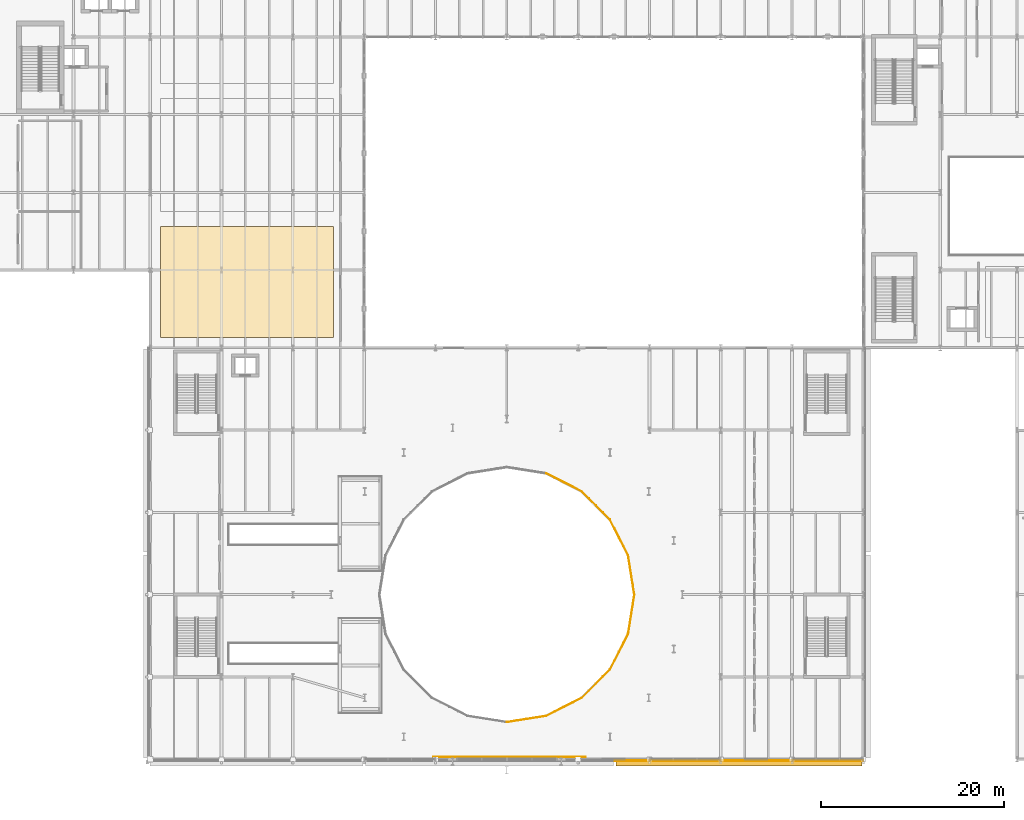
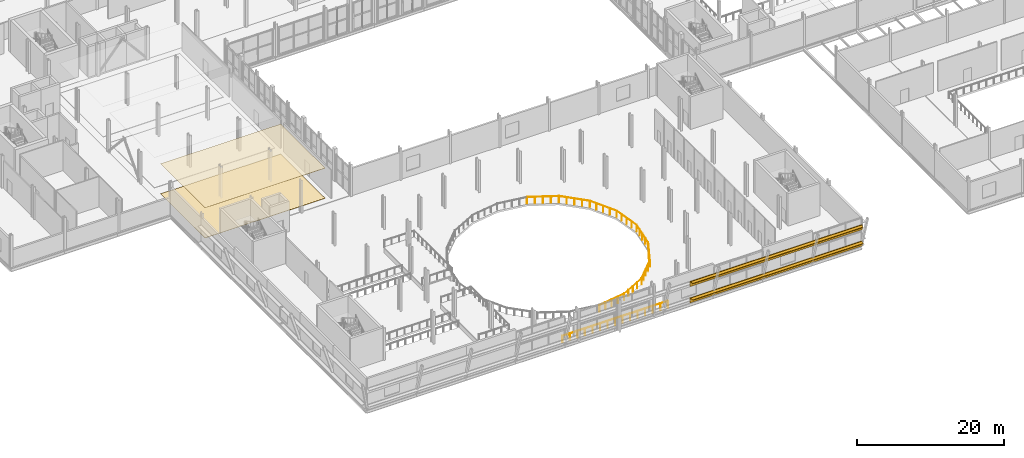
# One storey, part 65 of 78: 10 railings, 4 coverings, 2 shading devices.
"""IFC4 building model written with IfcOpenShell, lengths in metres."""

from ifc_helpers import new_model, si_unit, direction, frame, origin, origin_2d, place, context, subcontext, project, spatial, polyline, rectangle, circle, outline, extrude, material, layer, layer_set, type_object, element, save


model = new_model("IFC4")

# Units and contexts
model_context = context("Model", 3, precision=1e-05, world=origin(), true_north=direction((0.0, 1.0)))
body_context = subcontext(model_context, "Body", "Model", "MODEL_VIEW")
ifc_project = project(units=[si_unit("LENGTHUNIT", "METRE"), si_unit("AREAUNIT", "SQUARE_METRE"), si_unit("VOLUMEUNIT", "CUBIC_METRE"), si_unit("PLANEANGLEUNIT", "RADIAN"), si_unit("MASSUNIT", "GRAM", prefix="KILO")], contexts=[model_context])

# Site, building, storey
site_placement = place(None, origin())
site = spatial("IfcSite", under=ifc_project, at=site_placement, CompositionType="ELEMENT")
building_placement = place(site_placement, origin())
building = spatial("IfcBuilding", under=site, at=building_placement, Name="Sefraquen Railside Congress Hotel", CompositionType="ELEMENT")
storey_placement = place(building_placement, frame((0.0, 0.0, 6.0)))
storey = spatial("IfcBuildingStorey", under=building, at=storey_placement, Name="L01", CompositionType="ELEMENT", Elevation=6.0)

# Coverings
ifc_material_1 = material(Name="Acoustic mineral and carved plaster ceiling", Category="gypsum")
ifc_layer_1 = layer(ifc_material_1, 0.0400390625)
ifc_layer_set_1 = layer_set([ifc_layer_1], Name="Acoustic mineral and carved plaster ceiling")
covering_type_1 = type_object("IfcCoveringType", Name="TCV-CEIL-01", PredefinedType="CEILING", material=ifc_layer_set_1)
covering_1_placement = place(storey_placement, frame((0.0, 0.0, 5.010009765625)))
element("IfcCovering", 1, at=covering_1_placement, inside=storey, type_object=covering_type_1, Name="Conference Suite 01 acoustic ceiling finish", PredefinedType="CEILING", context=body_context, shape_type="SweptSolid", body=[
    extrude(outline(polyline([(26.330078125, 55.1298828125), (45.27001953125, 55.1298828125), (45.27001953125, 67.27001953125), (26.330078125, 67.27001953125), (26.330078125, 55.1298828125)])), origin(), (0.0, 0.0, 1.0), 0.0400390625),
])
ifc_material_2 = material(Name="Patinated architectural bronze", Category="metal")
ifc_layer_2 = layer(ifc_material_2, 0.080078125)
ifc_layer_set_2 = layer_set([ifc_layer_2], Name="Patinated architectural bronze")
covering_type_2 = type_object("IfcCoveringType", Name="TCV-CLAD-01", PredefinedType="CLADDING", material=ifc_layer_set_2)
for number, where, z_axis, x_axis, name in (
    (2, (89.60009765625, 8.830078125, -0.10498046875), (0.0, 0.0, 1.0), (1.0, 0.0, 0.0), "Congress horizontal bronze cladding band L01-S3"),
    (3, (89.60009765625, 8.830078125, 2.625), (0.0, 0.0, 1.0), (1.0, 0.0, 0.0), "Congress horizontal bronze cladding band L01-S3-B"),
):
    element("IfcCovering", number, at=place(storey_placement, frame(where, z_axis=z_axis, x_axis=x_axis)), inside=storey, type_object=covering_type_2, Name=name, PredefinedType="CLADDING", context=body_context, shape_type="SweptSolid", body=[
        extrude(rectangle(XDim=27.199951171875, YDim=0.080078125, at=origin_2d()), origin(), (0.0, 0.0, 1.0), 0.85009765625),
    ])
ifc_material_3 = material(Name="Moroccan zellige ceramic and honed stone flooring", Category="masonry")
ifc_layer_3 = layer(ifc_material_3, 0.0400390625)
ifc_layer_set_3 = layer_set([ifc_layer_3], Name="Moroccan zellige ceramic and honed stone flooring")
covering_type_3 = type_object("IfcCoveringType", Name="TCV-FLR-01", PredefinedType="FLOORING", material=ifc_layer_set_3)
covering_2_placement = place(storey_placement, origin())
element("IfcCovering", 4, at=covering_2_placement, inside=storey, type_object=covering_type_3, Name="Conference Suite 01 architectural floor finish", PredefinedType="FLOORING", context=body_context, shape_type="SweptSolid", body=[
    extrude(outline(polyline([(26.330078125, 55.1298828125), (45.27001953125, 55.1298828125), (45.27001953125, 67.27001953125), (26.330078125, 67.27001953125), (26.330078125, 55.1298828125)])), origin(), (0.0, 0.0, 1.0), 0.0400390625),
])

# Railings
ifc_material_4 = material(Name="Patinated wrought architectural bronze", Category="metal")
railing_type = type_object("IfcRailingType", Name="TRL-BAL-110", PredefinedType="BALUSTRADE", material=ifc_material_4)
railing_1_placement = place(storey_placement, frame((56.199951171875, 9.25, 0.0)))
element("IfcRailing", 5, at=railing_1_placement, inside=storey, type_object=railing_type, Name="Congress Hall L01 south drum-bay interior guard", PredefinedType="BALUSTRADE", context=body_context, shape_type="SweptSolid", body=[
    extrude(circle(Radius=0.02392578125, at=origin_2d()), frame((0.0, 0.0, 1.09619140625), z_axis=(1.0, 0.0, 0.0), x_axis=(0.0, 1.0, 0.0)), (0.0, 0.0, 1.0), 16.60009765625),
    extrude(circle(Radius=0.02099609375, at=origin_2d()), origin(), (0.0, 0.0, 1.0), 1.072021484375),
    extrude(circle(Radius=0.02099609375, at=origin_2d()), frame((1.185791015625, 0.0, 0.0)), (0.0, 0.0, 1.0), 1.072021484375),
    extrude(circle(Radius=0.02099609375, at=origin_2d()), frame((2.371337890625, 0.0, 0.0)), (0.0, 0.0, 1.0), 1.072021484375),
    extrude(circle(Radius=0.02099609375, at=origin_2d()), frame((3.55712890625, 0.0, 0.0)), (0.0, 0.0, 1.0), 1.072021484375),
    extrude(circle(Radius=0.02099609375, at=origin_2d()), frame((4.742919921875, 0.0, 0.0)), (0.0, 0.0, 1.0), 1.072021484375),
    extrude(circle(Radius=0.02099609375, at=origin_2d()), frame((5.9287109375, 0.0, 0.0)), (0.0, 0.0, 1.0), 1.072021484375),
    extrude(circle(Radius=0.02099609375, at=origin_2d()), frame((7.1142578125, 0.0, 0.0)), (0.0, 0.0, 1.0), 1.072021484375),
    extrude(circle(Radius=0.02099609375, at=origin_2d()), frame((8.300048828125, 0.0, 0.0)), (0.0, 0.0, 1.0), 1.072021484375),
    extrude(circle(Radius=0.02099609375, at=origin_2d()), frame((9.48583984375, 0.0, 0.0)), (0.0, 0.0, 1.0), 1.072021484375),
    extrude(circle(Radius=0.02099609375, at=origin_2d()), frame((10.67138671875, 0.0, 0.0)), (0.0, 0.0, 1.0), 1.072021484375),
    extrude(circle(Radius=0.02099609375, at=origin_2d()), frame((11.857177734375, 0.0, 0.0)), (0.0, 0.0, 1.0), 1.072021484375),
    extrude(circle(Radius=0.02099609375, at=origin_2d()), frame((13.04296875, 0.0, 0.0)), (0.0, 0.0, 1.0), 1.072021484375),
    extrude(circle(Radius=0.02099609375, at=origin_2d()), frame((14.228759765625, 0.0, 0.0)), (0.0, 0.0, 1.0), 1.072021484375),
    extrude(circle(Radius=0.02099609375, at=origin_2d()), frame((15.414306640625, 0.0, 0.0)), (0.0, 0.0, 1.0), 1.072021484375),
    extrude(circle(Radius=0.02099609375, at=origin_2d()), frame((16.60009765625, 0.0, 0.0)), (0.0, 0.0, 1.0), 1.072021484375),
])
railing_2_placement = place(storey_placement, frame((78.14990234375, 27.0, 0.0)))
element("IfcRailing", 6, at=railing_2_placement, inside=storey, type_object=railing_type, Name="Congress Hall L01 balcony bowl balustrade", PredefinedType="BALUSTRADE", context=body_context, shape_type="SweptSolid", body=[
    extrude(circle(Radius=0.02392578125, at=origin_2d()), frame((0.0, 0.0, 1.09619140625), z_axis=(-0.156402047608, 0.987693474467, 0.0), x_axis=(-0.987693474467, -0.156402047608, 0.0)), (0.0, 0.0, 1.0), 4.364501953125),
    extrude(circle(Radius=0.02099609375, at=origin_2d()), origin(), (0.0, 0.0, 1.0), 1.072021484375),
    extrude(circle(Radius=0.02099609375, at=origin_2d()), frame((-0.170654296875, 1.07763671875, 0.0)), (0.0, 0.0, 1.0), 1.072021484375),
    extrude(circle(Radius=0.02099609375, at=origin_2d()), frame((-0.34130859375, 2.1552734375, 0.0)), (0.0, 0.0, 1.0), 1.072021484375),
    extrude(circle(Radius=0.02099609375, at=origin_2d()), frame((-0.511962890625, 3.233154296875, 0.0)), (0.0, 0.0, 1.0), 1.072021484375),
    extrude(circle(Radius=0.02099609375, at=origin_2d()), frame((-0.6826171875, 4.310791015625, 0.0)), (0.0, 0.0, 1.0), 1.072021484375),
])
railing_3_placement = place(storey_placement, frame((77.46728515625, 31.310791015625, 0.0)))
element("IfcRailing", 7, at=railing_3_placement, inside=storey, type_object=railing_type, Name="Congress Hall L01 balcony bowl balustrade", PredefinedType="BALUSTRADE", context=body_context, shape_type="SweptSolid", body=[
    extrude(circle(Radius=0.02392578125, at=origin_2d()), frame((0.0, 0.0, 1.09619140625), z_axis=(-0.453980246675, 0.891011748311, 0.0), x_axis=(-0.891011748311, -0.453980246675, 0.0)), (0.0, 0.0, 1.0), 4.364501953125),
    extrude(circle(Radius=0.02099609375, at=origin_2d()), origin(), (0.0, 0.0, 1.0), 1.072021484375),
    extrude(circle(Radius=0.02099609375, at=origin_2d()), frame((-0.495361328125, 0.97216796875, 0.0)), (0.0, 0.0, 1.0), 1.072021484375),
    extrude(circle(Radius=0.02099609375, at=origin_2d()), frame((-0.99072265625, 1.9443359375, 0.0)), (0.0, 0.0, 1.0), 1.072021484375),
    extrude(circle(Radius=0.02099609375, at=origin_2d()), frame((-1.486083984375, 2.916748046875, 0.0)), (0.0, 0.0, 1.0), 1.072021484375),
    extrude(circle(Radius=0.02099609375, at=origin_2d()), frame((-1.9814453125, 3.888916015625, 0.0)), (0.0, 0.0, 1.0), 1.072021484375),
])
railing_4_placement = place(storey_placement, frame((75.48583984375, 35.19970703125, 0.0)))
element("IfcRailing", 8, at=railing_4_placement, inside=storey, type_object=railing_type, Name="Congress Hall L01 balcony bowl balustrade", PredefinedType="BALUSTRADE", context=body_context, shape_type="SweptSolid", body=[
    extrude(circle(Radius=0.02392578125, at=origin_2d()), frame((0.0, 0.0, 1.09619140625), z_axis=(-0.707106781187, 0.707106781187, 0.0), x_axis=(-0.707106781187, -0.707106781187, 0.0)), (0.0, 0.0, 1.0), 4.364501953125),
    extrude(circle(Radius=0.02099609375, at=origin_2d()), origin(), (0.0, 0.0, 1.0), 1.072021484375),
    extrude(circle(Radius=0.02099609375, at=origin_2d()), frame((-0.771484375, 0.771484375, 0.0)), (0.0, 0.0, 1.0), 1.072021484375),
    extrude(circle(Radius=0.02099609375, at=origin_2d()), frame((-1.54296875, 1.54296875, 0.0)), (0.0, 0.0, 1.0), 1.072021484375),
    extrude(circle(Radius=0.02099609375, at=origin_2d()), frame((-2.314697265625, 2.314697265625, 0.0)), (0.0, 0.0, 1.0), 1.072021484375),
    extrude(circle(Radius=0.02099609375, at=origin_2d()), frame((-3.086181640625, 3.086181640625, 0.0)), (0.0, 0.0, 1.0), 1.072021484375),
])
railing_5_placement = place(storey_placement, frame((72.399658203125, 38.285888671875, 0.0)))
element("IfcRailing", 9, at=railing_5_placement, inside=storey, type_object=railing_type, Name="Congress Hall L01 balcony bowl balustrade", PredefinedType="BALUSTRADE", context=body_context, shape_type="SweptSolid", body=[
    extrude(circle(Radius=0.02392578125, at=origin_2d()), frame((0.0, 0.0, 1.09619140625), z_axis=(-0.891034374171, 0.453935836926, 0.0), x_axis=(-0.453935836926, -0.891034374171, 0.0)), (0.0, 0.0, 1.0), 4.364501953125),
    extrude(circle(Radius=0.02099609375, at=origin_2d()), origin(), (0.0, 0.0, 1.0), 1.072021484375),
    extrude(circle(Radius=0.02099609375, at=origin_2d()), frame((-0.97216796875, 0.495361328125, 0.0)), (0.0, 0.0, 1.0), 1.072021484375),
    extrude(circle(Radius=0.02099609375, at=origin_2d()), frame((-1.9443359375, 0.99072265625, 0.0)), (0.0, 0.0, 1.0), 1.072021484375),
    extrude(circle(Radius=0.02099609375, at=origin_2d()), frame((-2.916748046875, 1.48583984375, 0.0)), (0.0, 0.0, 1.0), 1.072021484375),
    extrude(circle(Radius=0.02099609375, at=origin_2d()), frame((-3.888916015625, 1.981201171875, 0.0)), (0.0, 0.0, 1.0), 1.072021484375),
])
railing_6_placement = place(storey_placement, frame((64.199951171875, 13.050048828125, 0.0)))
element("IfcRailing", 10, at=railing_6_placement, inside=storey, type_object=railing_type, Name="Congress Hall L01 balcony bowl balustrade", PredefinedType="BALUSTRADE", context=body_context, shape_type="SweptSolid", body=[
    extrude(circle(Radius=0.02392578125, at=origin_2d()), frame((0.0, 0.0, 1.09619140625), z_axis=(0.987684831918, 0.156456616349, 0.0), x_axis=(-0.156456616349, 0.987684831918, 0.0)), (0.0, 0.0, 1.0), 4.364501953125),
    extrude(circle(Radius=0.02099609375, at=origin_2d()), origin(), (0.0, 0.0, 1.0), 1.072021484375),
    extrude(circle(Radius=0.02099609375, at=origin_2d()), frame((1.07763671875, 0.170654296875, 0.0)), (0.0, 0.0, 1.0), 1.072021484375),
    extrude(circle(Radius=0.02099609375, at=origin_2d()), frame((2.1552734375, 0.34130859375, 0.0)), (0.0, 0.0, 1.0), 1.072021484375),
    extrude(circle(Radius=0.02099609375, at=origin_2d()), frame((3.233154296875, 0.51220703125, 0.0)), (0.0, 0.0, 1.0), 1.072021484375),
    extrude(circle(Radius=0.02099609375, at=origin_2d()), frame((4.310791015625, 0.682861328125, 0.0)), (0.0, 0.0, 1.0), 1.072021484375),
])
railing_7_placement = place(storey_placement, frame((68.5107421875, 13.73291015625, 0.0)))
element("IfcRailing", 11, at=railing_7_placement, inside=storey, type_object=railing_type, Name="Congress Hall L01 balcony bowl balustrade", PredefinedType="BALUSTRADE", context=body_context, shape_type="SweptSolid", body=[
    extrude(circle(Radius=0.02392578125, at=origin_2d()), frame((0.0, 0.0, 1.09619140625), z_axis=(0.891034374171, 0.453935836926, 0.0), x_axis=(-0.453935836926, 0.891034374171, 0.0)), (0.0, 0.0, 1.0), 4.364501953125),
    extrude(circle(Radius=0.02099609375, at=origin_2d()), origin(), (0.0, 0.0, 1.0), 1.072021484375),
    extrude(circle(Radius=0.02099609375, at=origin_2d()), frame((0.97216796875, 0.495361328125, 0.0)), (0.0, 0.0, 1.0), 1.072021484375),
    extrude(circle(Radius=0.02099609375, at=origin_2d()), frame((1.9443359375, 0.99072265625, 0.0)), (0.0, 0.0, 1.0), 1.072021484375),
    extrude(circle(Radius=0.02099609375, at=origin_2d()), frame((2.916748046875, 1.48583984375, 0.0)), (0.0, 0.0, 1.0), 1.072021484375),
    extrude(circle(Radius=0.02099609375, at=origin_2d()), frame((3.888916015625, 1.981201171875, 0.0)), (0.0, 0.0, 1.0), 1.072021484375),
])
railing_8_placement = place(storey_placement, frame((72.399658203125, 15.714111328125, 0.0)))
element("IfcRailing", 12, at=railing_8_placement, inside=storey, type_object=railing_type, Name="Congress Hall L01 balcony bowl balustrade", PredefinedType="BALUSTRADE", context=body_context, shape_type="SweptSolid", body=[
    extrude(circle(Radius=0.02392578125, at=origin_2d()), frame((0.0, 0.0, 1.09619140625), z_axis=(0.707106781187, 0.707106781187, 0.0), x_axis=(-0.707106781187, 0.707106781187, 0.0)), (0.0, 0.0, 1.0), 4.364501953125),
    extrude(circle(Radius=0.02099609375, at=origin_2d()), origin(), (0.0, 0.0, 1.0), 1.072021484375),
    extrude(circle(Radius=0.02099609375, at=origin_2d()), frame((0.771484375, 0.771484375, 0.0)), (0.0, 0.0, 1.0), 1.072021484375),
    extrude(circle(Radius=0.02099609375, at=origin_2d()), frame((1.54296875, 1.54296875, 0.0)), (0.0, 0.0, 1.0), 1.072021484375),
    extrude(circle(Radius=0.02099609375, at=origin_2d()), frame((2.314697265625, 2.314697265625, 0.0)), (0.0, 0.0, 1.0), 1.072021484375),
    extrude(circle(Radius=0.02099609375, at=origin_2d()), frame((3.086181640625, 3.086181640625, 0.0)), (0.0, 0.0, 1.0), 1.072021484375),
])
railing_9_placement = place(storey_placement, frame((75.48583984375, 18.80029296875, 0.0)))
element("IfcRailing", 13, at=railing_9_placement, inside=storey, type_object=railing_type, Name="Congress Hall L01 balcony bowl balustrade", PredefinedType="BALUSTRADE", context=body_context, shape_type="SweptSolid", body=[
    extrude(circle(Radius=0.02392578125, at=origin_2d()), frame((0.0, 0.0, 1.09619140625), z_axis=(0.453980246675, 0.891011748311, 0.0), x_axis=(-0.891011748311, 0.453980246675, 0.0)), (0.0, 0.0, 1.0), 4.364501953125),
    extrude(circle(Radius=0.02099609375, at=origin_2d()), origin(), (0.0, 0.0, 1.0), 1.072021484375),
    extrude(circle(Radius=0.02099609375, at=origin_2d()), frame((0.495361328125, 0.97216796875, 0.0)), (0.0, 0.0, 1.0), 1.072021484375),
    extrude(circle(Radius=0.02099609375, at=origin_2d()), frame((0.99072265625, 1.9443359375, 0.0)), (0.0, 0.0, 1.0), 1.072021484375),
    extrude(circle(Radius=0.02099609375, at=origin_2d()), frame((1.486083984375, 2.916748046875, 0.0)), (0.0, 0.0, 1.0), 1.072021484375),
    extrude(circle(Radius=0.02099609375, at=origin_2d()), frame((1.9814453125, 3.888916015625, 0.0)), (0.0, 0.0, 1.0), 1.072021484375),
])
railing_10_placement = place(storey_placement, frame((77.46728515625, 22.689208984375, 0.0)))
element("IfcRailing", 14, at=railing_10_placement, inside=storey, type_object=railing_type, Name="Congress Hall L01 balcony bowl balustrade", PredefinedType="BALUSTRADE", context=body_context, shape_type="SweptSolid", body=[
    extrude(circle(Radius=0.02392578125, at=origin_2d()), frame((0.0, 0.0, 1.09619140625), z_axis=(0.156402047608, 0.987693474467, 0.0), x_axis=(-0.987693474467, 0.156402047608, 0.0)), (0.0, 0.0, 1.0), 4.364501953125),
    extrude(circle(Radius=0.02099609375, at=origin_2d()), origin(), (0.0, 0.0, 1.0), 1.072021484375),
    extrude(circle(Radius=0.02099609375, at=origin_2d()), frame((0.170654296875, 1.07763671875, 0.0)), (0.0, 0.0, 1.0), 1.072021484375),
    extrude(circle(Radius=0.02099609375, at=origin_2d()), frame((0.34130859375, 2.1552734375, 0.0)), (0.0, 0.0, 1.0), 1.072021484375),
    extrude(circle(Radius=0.02099609375, at=origin_2d()), frame((0.511962890625, 3.233154296875, 0.0)), (0.0, 0.0, 1.0), 1.072021484375),
    extrude(circle(Radius=0.02099609375, at=origin_2d()), frame((0.6826171875, 4.310791015625, 0.0)), (0.0, 0.0, 1.0), 1.072021484375),
])

# Shading devices
ifc_layer_4 = layer(ifc_material_2, 0.06005859375)
ifc_layer_set_4 = layer_set([ifc_layer_4], Name="Patinated architectural bronze")
shading_device_type = type_object("IfcShadingDeviceType", Name="TSH-BS-01", PredefinedType="USERDEFINED", material=ifc_layer_set_4)
for number, where, z_axis, x_axis, name in (
    (15, (89.60009765625, 8.530029296875, 0.639892578125), (0.0, 0.0, 1.0), (1.0, 0.0, 0.0), "Congress horizontal brise-soleil L01-S3"),
    (16, (89.60009765625, 8.530029296875, 3.369873046875), (0.0, 0.0, 1.0), (1.0, 0.0, 0.0), "Congress horizontal brise-soleil L01-S3-B"),
):
    element("IfcShadingDevice", number, at=place(storey_placement, frame(where, z_axis=z_axis, x_axis=x_axis)), inside=storey, type_object=shading_device_type, Name=name, ObjectType="BRISE SOLEIL", PredefinedType="USERDEFINED", context=body_context, shape_type="SweptSolid", body=[
        extrude(rectangle(XDim=26.89990234375, YDim=0.550048828125, at=origin_2d()), origin(), (0.0, 0.0, 1.0), 0.06005859375),
    ])

save(model, "model.ifc")
